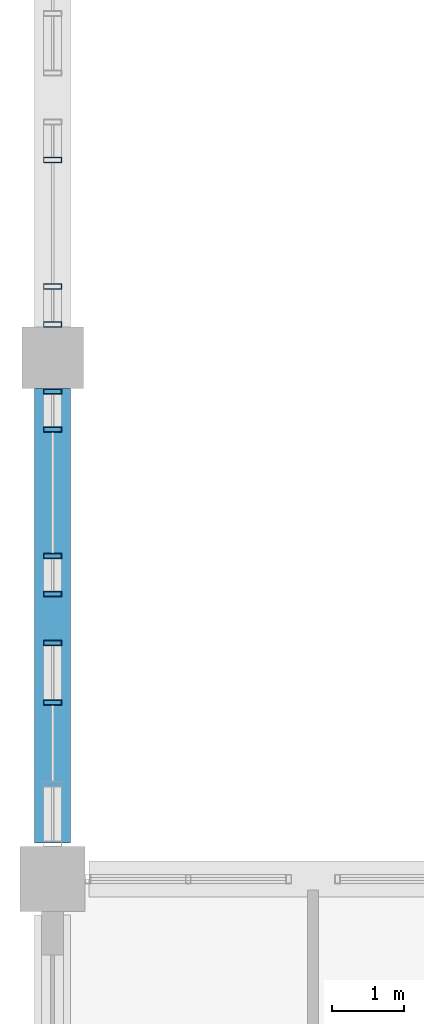
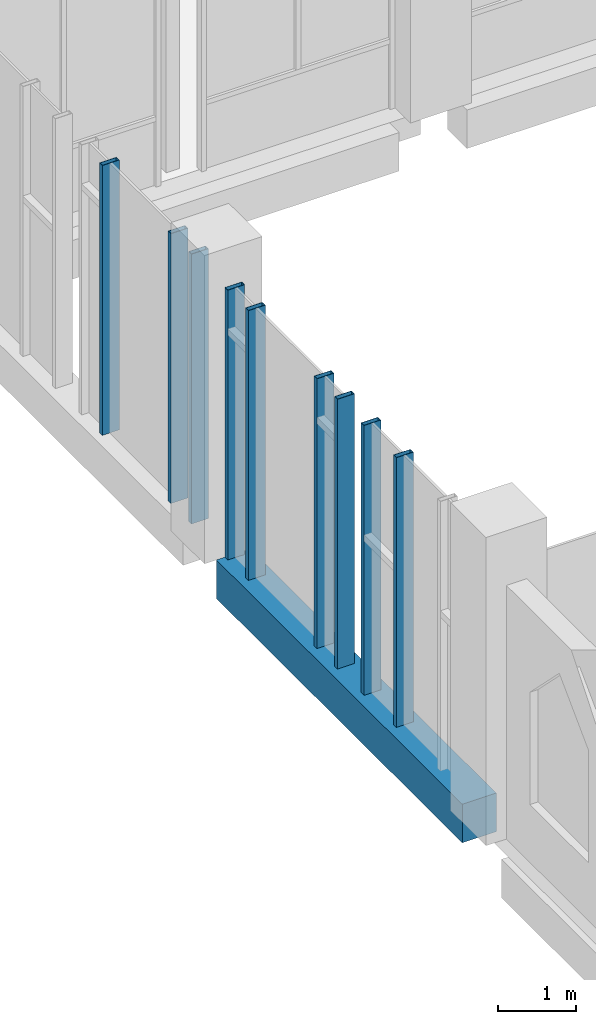
# One storey, part 4 of 40: 9 members, 1 beam, 3 elements without a shape of their own.
"""IFC4 building model written with IfcOpenShell, lengths in metres."""

from ifc_helpers import new_model, si_unit, direction, frame, origin, origin_2d, place, context, subcontext, project, spatial, rectangle, hollow_rectangle, extrude, material, material_profile, profile_set, type_object, element, aggregate, save


model = new_model("IFC4")

# Units and contexts
model_context = context("Model", 3, precision=1e-05, world=origin(), true_north=direction((0.0, 1.0)))
body_context = subcontext(model_context, "Body", "Model", "MODEL_VIEW")
ifc_project = project(units=[si_unit("LENGTHUNIT", "METRE"), si_unit("AREAUNIT", "SQUARE_METRE"), si_unit("VOLUMEUNIT", "CUBIC_METRE"), si_unit("PLANEANGLEUNIT", "RADIAN"), si_unit("MASSUNIT", "GRAM", prefix="KILO")], contexts=[model_context])

# Site, building, storey
site_placement = place(None, origin())
site = spatial("IfcSite", under=ifc_project, at=site_placement, CompositionType="ELEMENT")
building_placement = place(site_placement, origin())
building = spatial("IfcBuilding", under=site, at=building_placement, Name="Silangan Lancet Faculty of Sciences", CompositionType="ELEMENT")
storey_placement = place(building_placement, frame((0.0, 0.0, 16.800048828125)))
storey = spatial("IfcBuildingStorey", under=building, at=storey_placement, Name="L03", CompositionType="ELEMENT", Elevation=16.800048828125)

# Beam
ifc_material_1 = material(Name="Concrete C40/50", Category="concrete")
ifc_material_profile_1 = material_profile(ifc_material_1, rectangle(XDim=0.5, YDim=0.60009765625, at=origin_2d()), Name="RC 500x600")
ifc_profile_set_1 = profile_set([ifc_material_profile_1], Name="Concrete C40/50")
beam_type = type_object("IfcBeamType", Name="BEAM RC 500x600", PredefinedType="BEAM", material=ifc_profile_set_1)
beam_placement = place(storey_placement, frame((0.0, 22.10009765625, -0.300048828125), z_axis=(0.0, 1.0, 0.0), x_axis=(-1.0, 0.0, 0.0)))
element("IfcBeam", 1, at=beam_placement, inside=storey, type_object=beam_type, Name="BM-L03-1D-1E", PredefinedType="BEAM", context=body_context, shape_type="SweptSolid", body=[
    extrude(rectangle(XDim=0.5, YDim=0.60009765625, at=origin_2d()), origin(), (0.0, 0.0, 1.0), 6.27490234375),
])

# Curtain wall, members
ifc_material_2 = material(Name="Aluminium framed curtain wall with insulated glass", Category="aluminium")
curtain_wall_type_1 = type_object("IfcCurtainWallType", Name="CW3 West stepped lancet window", PredefinedType="NOTDEFINED", material=ifc_material_2)
curtain_wall_1_placement = place(storey_placement, origin())
curtain_wall_1 = element("IfcCurtainWall", 2, at=curtain_wall_1_placement, inside=storey, type_object=curtain_wall_type_1, Name="CW3 West window L03 bay 1", PredefinedType="NOTDEFINED")
ifc_material_3 = material(Name="Aluminium 6063-T6 extrusion", Category="aluminium")
ifc_material_profile_2 = material_profile(ifc_material_3, hollow_rectangle(XDim=0.074951171875, YDim=0.25, WallThickness=0.006103515625, at=origin_2d()), Name="AL BOX 75x250x6")
ifc_profile_set_2 = profile_set([ifc_material_profile_2], Name="Aluminium 6063-T6 extrusion")
member_type = type_object("IfcMemberType", Name="CM3 Mullion 75x250", PredefinedType="MULLION", material=ifc_profile_set_2)
member_1_placement = place(storey_placement, frame((0.0, 24.862548828125, 0.0), z_axis=(0.0, 0.0, 1.0), x_axis=(0.0, 1.0, 0.0)))
member_1 = element("IfcMember", 3, at=member_1_placement, type_object=member_type, Name="CW3 West window L03 bay 1 mullion 2", PredefinedType="MULLION", context=body_context, shape_type="SweptSolid", body=[
    extrude(hollow_rectangle(XDim=0.074951171875, YDim=0.25, WallThickness=0.006103515625, at=origin_2d()), origin(), (0.0, 0.0, 1.0), 4.199951171875),
])
member_2_placement = place(storey_placement, frame((0.0, 24.03759765625, 0.0), z_axis=(0.0, 0.0, 1.0), x_axis=(0.0, 1.0, 0.0)))
member_2 = element("IfcMember", 4, at=member_2_placement, type_object=member_type, Name="CW3 West window L03 bay 1 mullion 4", PredefinedType="MULLION", context=body_context, shape_type="SweptSolid", body=[
    extrude(hollow_rectangle(XDim=0.074951171875, YDim=0.25, WallThickness=0.006103515625, at=origin_2d()), origin(), (0.0, 0.0, 1.0), 4.199951171875),
])
aggregate(curtain_wall_1, [member_1, member_2])

ifc_material_4 = material(Name="Aluminium framed curtain wall with insulated glass", Category="aluminium")
curtain_wall_type_2 = type_object("IfcCurtainWallType", Name="CW6 West window middle bays", PredefinedType="NOTDEFINED", material=ifc_material_4)
curtain_wall_2_placement = place(storey_placement, origin())
curtain_wall_2 = element("IfcCurtainWall", 5, at=curtain_wall_2_placement, inside=storey, type_object=curtain_wall_type_2, Name="CW6 West window L03 bay 2", PredefinedType="NOTDEFINED")
member_3_placement = place(storey_placement, frame((0.0, 25.53759765625, 0.0), z_axis=(0.0, 0.0, 1.0), x_axis=(0.0, 1.0, 0.0)))
member_3 = element("IfcMember", 6, at=member_3_placement, type_object=member_type, Name="CW6 West window L03 bay 2 mullion 1", PredefinedType="MULLION", context=body_context, shape_type="SweptSolid", body=[
    extrude(hollow_rectangle(XDim=0.074951171875, YDim=0.25, WallThickness=0.006103515625, at=origin_2d()), origin(), (0.0, 0.0, 1.0), 4.199951171875),
])
member_4_placement = place(storey_placement, frame((0.0, 28.33740234375, 0.0), z_axis=(0.0, 0.0, 1.0), x_axis=(0.0, 1.0, 0.0)))
member_4 = element("IfcMember", 7, at=member_4_placement, type_object=member_type, Name="CW6 West window L03 bay 2 mullion 2", PredefinedType="MULLION", context=body_context, shape_type="SweptSolid", body=[
    extrude(hollow_rectangle(XDim=0.074951171875, YDim=0.25, WallThickness=0.006103515625, at=origin_2d()), origin(), (0.0, 0.0, 1.0), 4.199951171875),
])
member_5_placement = place(storey_placement, frame((0.0, 26.0625, 0.0), z_axis=(0.0, 0.0, 1.0), x_axis=(0.0, 1.0, 0.0)))
member_5 = element("IfcMember", 8, at=member_5_placement, type_object=member_type, Name="CW6 West window L03 bay 2 mullion 3", PredefinedType="MULLION", context=body_context, shape_type="SweptSolid", body=[
    extrude(hollow_rectangle(XDim=0.074951171875, YDim=0.25, WallThickness=0.006103515625, at=origin_2d()), origin(), (0.0, 0.0, 1.0), 4.199951171875),
])
member_6_placement = place(storey_placement, frame((0.0, 27.8125, 0.0), z_axis=(0.0, 0.0, 1.0), x_axis=(0.0, 1.0, 0.0)))
member_6 = element("IfcMember", 9, at=member_6_placement, type_object=member_type, Name="CW6 West window L03 bay 2 mullion 4", PredefinedType="MULLION", context=body_context, shape_type="SweptSolid", body=[
    extrude(hollow_rectangle(XDim=0.074951171875, YDim=0.25, WallThickness=0.006103515625, at=origin_2d()), origin(), (0.0, 0.0, 1.0), 4.199951171875),
])
aggregate(curtain_wall_2, [member_3, member_4, member_5, member_6])

curtain_wall_3_placement = place(storey_placement, origin())
curtain_wall_3 = element("IfcCurtainWall", 10, at=curtain_wall_3_placement, inside=storey, type_object=curtain_wall_type_2, Name="CW6 West window L03 bay 3", PredefinedType="NOTDEFINED")
member_7_placement = place(storey_placement, frame((0.0, 29.262451171875, 0.0), z_axis=(0.0, 0.0, 1.0), x_axis=(0.0, 1.0, 0.0)))
member_7 = element("IfcMember", 11, at=member_7_placement, type_object=member_type, Name="CW6 West window L03 bay 3 mullion 1", PredefinedType="MULLION", context=body_context, shape_type="SweptSolid", body=[
    extrude(hollow_rectangle(XDim=0.074951171875, YDim=0.25, WallThickness=0.006103515625, at=origin_2d()), origin(), (0.0, 0.0, 1.0), 4.199951171875),
])
member_8_placement = place(storey_placement, frame((0.0, 29.78759765625, 0.0), z_axis=(0.0, 0.0, 1.0), x_axis=(0.0, 1.0, 0.0)))
member_8 = element("IfcMember", 12, at=member_8_placement, type_object=member_type, Name="CW6 West window L03 bay 3 mullion 3", PredefinedType="MULLION", context=body_context, shape_type="SweptSolid", body=[
    extrude(hollow_rectangle(XDim=0.074951171875, YDim=0.25, WallThickness=0.006103515625, at=origin_2d()), origin(), (0.0, 0.0, 1.0), 4.199951171875),
])
member_9_placement = place(storey_placement, frame((0.0, 31.537353515625, 0.0), z_axis=(0.0, 0.0, 1.0), x_axis=(0.0, 1.0, 0.0)))
member_9 = element("IfcMember", 13, at=member_9_placement, type_object=member_type, Name="CW6 West window L03 bay 3 mullion 4", PredefinedType="MULLION", context=body_context, shape_type="SweptSolid", body=[
    extrude(hollow_rectangle(XDim=0.074951171875, YDim=0.25, WallThickness=0.006103515625, at=origin_2d()), origin(), (0.0, 0.0, 1.0), 4.199951171875),
])
aggregate(curtain_wall_3, [member_7, member_8, member_9])

save(model, "model.ifc")
